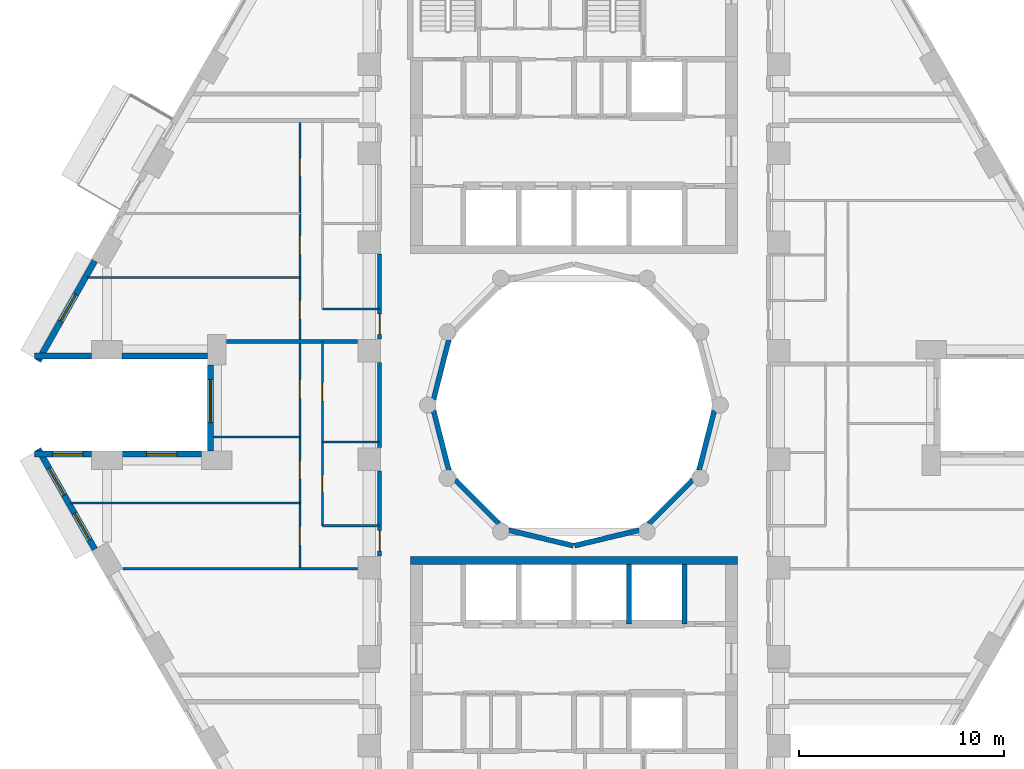
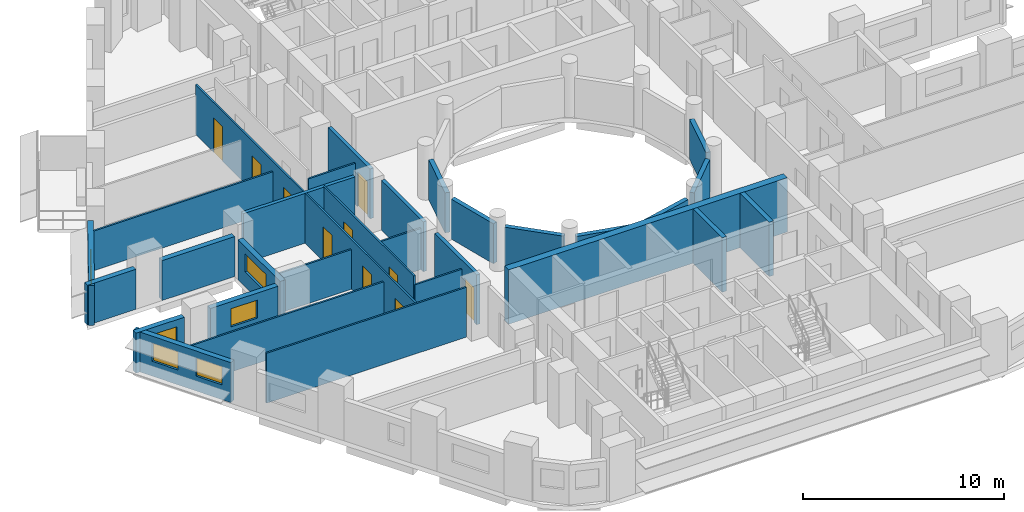
# One storey, part 4 of 13: 30 walls, 10 doors, 6 windows, 16 openings.
"""IFC4 building model written with IfcOpenShell, lengths in metres."""

from ifc_helpers import new_model, si_unit, direction, frame, frame_2d, origin, place, context, subcontext, project, spatial, rectangle, extrude, material, layer, layer_set, type_object, element, fill, save


model = new_model("IFC4")

# Units and contexts
model_context = context("Model", 3, precision=1e-05, world=origin(), true_north=direction((0.0, 1.0)))
body_context = subcontext(model_context, "Body", "Model", "MODEL_VIEW")
ifc_project = project(units=[si_unit("LENGTHUNIT", "METRE"), si_unit("AREAUNIT", "SQUARE_METRE"), si_unit("VOLUMEUNIT", "CUBIC_METRE"), si_unit("PLANEANGLEUNIT", "RADIAN"), si_unit("MASSUNIT", "GRAM", prefix="KILO")], contexts=[model_context])

# Site, building, storey
site_placement = place(None, origin())
site = spatial("IfcSite", under=ifc_project, at=site_placement, CompositionType="ELEMENT")
building_placement = place(site_placement, origin())
building = spatial("IfcBuilding", under=site, at=building_placement, Name="Nakaniwa Court", CompositionType="ELEMENT")
storey_placement = place(building_placement, frame((0.0, 0.0, 44.699951171875)))
storey = spatial("IfcBuildingStorey", under=building, at=storey_placement, Name="L11", CompositionType="ELEMENT", Elevation=44.699951171875)

# Wall, opening, door
ifc_material_1 = material(Name="Acoustic double stud partition")
ifc_layer_1 = layer(ifc_material_1, 0.199951171875)
ifc_layer_set_1 = layer_set([ifc_layer_1], Name="Acoustic double stud partition")
wall_type_1 = type_object("IfcWallType", Name="Acoustic double stud partition 200", PredefinedType="PARTITIONING", material=ifc_layer_set_1)
wall_1_placement = place(storey_placement, frame((70.5, 72.616943359375, 0.0), z_axis=(0.0, 0.0, 1.0), x_axis=(0.0, 1.0, 0.0)))
wall_1 = element("IfcWall", 1, at=wall_1_placement, inside=storey, type_object=wall_type_1, Name="Partition PW-105", PredefinedType="PARTITIONING", context=body_context, shape_type="SweptSolid", body=[
    extrude(rectangle(XDim=4.166015625, YDim=0.199951171875, at=frame_2d((2.0830078125, 0.0))), origin(), (0.0, 0.0, 1.0), 3.025146484375),
])
opening_1_placement = place(wall_1_placement, frame((0.242919921875, 0.0, 0.0)))
opening_1 = element("IfcOpeningElement", 2, at=opening_1_placement, cuts=wall_1, Name="Opening D-01-03", PredefinedType="OPENING", context=body_context, shape_type="SweptSolid", body=[
    extrude(rectangle(XDim=1.0, YDim=2.10009765625, at=frame_2d((0.5, 1.050048828125))), frame((0.0, 0.10986328125, 0.0), z_axis=(0.0, -1.0, 0.0), x_axis=(1.0, 0.0, 0.0)), (0.0, 0.0, 1.0), 0.219970703125),
])
ifc_material_2 = material(Name="Solid core timber door set, black veneer", Category="wood")
door_type_1 = type_object("IfcDoorType", Name="Flat entrance door 1000", OperationType="NOTDEFINED", PredefinedType="DOOR", material=ifc_material_2)
door_1_placement = place(opening_1_placement, origin())
door_1 = element("IfcDoor", 3, at=door_1_placement, inside=storey, type_object=door_type_1, Name="Door D-01-03 L11-044", OperationType="SINGLE_SWING_LEFT", OverallHeight=2.10009765625, OverallWidth=1.0, PredefinedType="DOOR", context=body_context, shape_type="SweptSolid", body=[
    extrude(rectangle(XDim=1.0, YDim=2.10009765625, at=frame_2d((0.5, 1.050048828125))), frame((0.0, 0.02490234375, 0.0), z_axis=(0.0, -1.0, 0.0), x_axis=(1.0, 0.0, 0.0)), (0.0, 0.0, 1.0), 0.050048828125),
])
fill(opening_1, door_1)

# Wall
wall_2_placement = place(storey_placement, frame((70.5, 77.9169921875, 0.0), z_axis=(0.0, 0.0, 1.0), x_axis=(0.0, 1.0, 0.0)))
element("IfcWall", 4, at=wall_2_placement, inside=storey, type_object=wall_type_1, Name="Partition PW-106", PredefinedType="PARTITIONING", context=body_context, shape_type="SweptSolid", body=[
    extrude(rectangle(XDim=4.166015625, YDim=0.199951171875, at=frame_2d((2.0830078125, 0.0))), origin(), (0.0, 0.0, 1.0), 3.025146484375),
])

# Wall, opening, door
wall_3_placement = place(storey_placement, frame((70.5, 83.217041015625, 0.0), z_axis=(0.0, 0.0, 1.0), x_axis=(0.0, 1.0, 0.0)))
wall_3 = element("IfcWall", 5, at=wall_3_placement, inside=storey, type_object=wall_type_1, Name="Partition PW-107", PredefinedType="PARTITIONING", context=body_context, shape_type="SweptSolid", body=[
    extrude(rectangle(XDim=4.166015625, YDim=0.199951171875, at=frame_2d((2.0830078125, 0.0))), origin(), (0.0, 0.0, 1.0), 3.025146484375),
])
opening_2_placement = place(wall_3_placement, frame((0.242919921875, 0.0, 0.0)))
opening_2 = element("IfcOpeningElement", 6, at=opening_2_placement, cuts=wall_3, Name="Opening D-01-04", PredefinedType="OPENING", context=body_context, shape_type="SweptSolid", body=[
    extrude(rectangle(XDim=1.0, YDim=2.10009765625, at=frame_2d((0.5, 1.050048828125))), frame((0.0, 0.10986328125, 0.0), z_axis=(0.0, -1.0, 0.0), x_axis=(1.0, 0.0, 0.0)), (0.0, 0.0, 1.0), 0.219970703125),
])
door_2_placement = place(opening_2_placement, origin())
door_2 = element("IfcDoor", 7, at=door_2_placement, inside=storey, type_object=door_type_1, Name="Door D-01-04 L11-050", OperationType="SINGLE_SWING_LEFT", OverallHeight=2.10009765625, OverallWidth=1.0, PredefinedType="DOOR", context=body_context, shape_type="SweptSolid", body=[
    extrude(rectangle(XDim=1.0, YDim=2.10009765625, at=frame_2d((0.5, 1.050048828125))), frame((0.0, 0.02490234375, 0.0), z_axis=(0.0, -1.0, 0.0), x_axis=(1.0, 0.0, 0.0)), (0.0, 0.0, 1.0), 0.050048828125),
])
fill(opening_2, door_2)

# Wall
wall_4_placement = place(storey_placement, frame((63.01171875, 83.10009765625, 0.0), z_axis=(0.0, 0.0, 1.0), x_axis=(1.0, 0.0, 0.0)))
element("IfcWall", 8, at=wall_4_placement, inside=storey, type_object=wall_type_1, Name="Partition PW-130", PredefinedType="PARTITIONING", context=body_context, shape_type="SweptSolid", body=[
    extrude(rectangle(XDim=6.418212890625, YDim=0.199951171875, at=frame_2d((3.208984375, 0.0))), origin(), (0.0, 0.0, 1.0), 3.025146484375),
])

# Wall, opening, window
ifc_material_3 = material(Name="Charcoal ceramic cladding")
ifc_layer_2 = layer(ifc_material_3, 0.02, Name="Ceramic cladding")
ifc_material_4 = material(Name="Ventilated air cavity")
ifc_layer_3 = layer(ifc_material_4, 0.04, ventilated=True, Name="Ventilated cavity")
ifc_material_5 = material(Name="Mineral wool insulation")
ifc_layer_4 = layer(ifc_material_5, 0.1, Name="Insulation")
ifc_material_6 = material(Name="Cement bonded sheathing board")
ifc_layer_5 = layer(ifc_material_6, 0.012, Name="Sheathing")
ifc_material_7 = material(Name="Cold-formed galvanised stud frame with mineral wool infill")
ifc_layer_6 = layer(ifc_material_7, 0.1, Name="Stud frame")
ifc_material_8 = material(Name="Fire-rated gypsum plasterboard lining")
ifc_layer_7 = layer(ifc_material_8, 0.028, Name="Lining")
ifc_layer_set_2 = layer_set([ifc_layer_2, ifc_layer_3, ifc_layer_4, ifc_layer_5, ifc_layer_6, ifc_layer_7], Name="Charcoal ceramic faced external wall system")
wall_type_2 = type_object("IfcWallType", Name="Black ceramic faced external wall 300", PredefinedType="SOLIDWALL", material=ifc_layer_set_2)
wall_5_placement = place(storey_placement, frame((56.584228515625, 87.050537109375, 0.0), z_axis=(0.0, 0.0, 1.0), x_axis=(-0.492363204642, -0.870389840655, 0.0)))
wall_5 = element("IfcWall", 9, at=wall_5_placement, inside=storey, type_object=wall_type_2, Name="L11 external wall 14", PredefinedType="SOLIDWALL", context=body_context, shape_type="SweptSolid", body=[
    extrude(rectangle(XDim=5.62646484375, YDim=0.300048828125, at=frame_2d((2.813232421875, 0.0))), origin(), (0.0, 0.0, 1.0), 2.425048828125),
])
opening_3_placement = place(wall_5_placement, frame((1.8916015625, 0.0, 0.89990234375)))
opening_3 = element("IfcOpeningElement", 10, at=opening_3_placement, cuts=wall_5, Name="Opening W5.15", PredefinedType="OPENING", context=body_context, shape_type="SweptSolid", body=[
    extrude(rectangle(XDim=1.5, YDim=1.10009765625, at=frame_2d((0.75, 0.550048828125))), frame((0.0, 0.159912109375, 0.0), z_axis=(0.0, -1.0, 0.0), x_axis=(1.0, 0.0, 0.0)), (0.0, 0.0, 1.0), 0.320068359375),
])
ifc_material_9 = material(Name="Black anodised aluminium frame with dark low-E laminated double glazing", Category="aluminium")
window_type_1 = type_object("IfcWindowType", Name="Dark glass window 1500x1100 sill 900", PartitioningType="SINGLE_PANEL", PredefinedType="WINDOW", material=ifc_material_9)
window_1_placement = place(opening_3_placement, origin())
window_1 = element("IfcWindow", 11, at=window_1_placement, inside=storey, type_object=window_type_1, Name="L11 bedroom window 14-1", OverallHeight=1.10009765625, OverallWidth=1.5, PartitioningType="SINGLE_PANEL", PredefinedType="WINDOW", context=body_context, shape_type="SweptSolid", body=[
    extrude(rectangle(XDim=1.5, YDim=1.10009765625, at=frame_2d((0.75, 0.550048828125))), frame((0.0, 0.030029296875, 0.0), z_axis=(0.0, -1.0, 0.0), x_axis=(1.0, 0.0, 0.0)), (0.0, 0.0, 1.0), 0.06005859375),
])
fill(opening_3, window_1)

# Walls
wall_6_placement = place(storey_placement, frame((53.643310546875, 82.39990234375, 0.0), z_axis=(0.0, 0.0, 1.0), x_axis=(1.0, 0.0, 0.0)))
element("IfcWall", 12, at=wall_6_placement, inside=storey, type_object=wall_type_2, Name="L11 external wall 15", PredefinedType="SOLIDWALL", context=body_context, shape_type="SweptSolid", body=[
    extrude(rectangle(XDim=2.787841796875, YDim=0.300048828125, at=frame_2d((1.39404296875, 0.0))), origin(), (0.0, 0.0, 1.0), 2.425048828125),
])
wall_7_placement = place(storey_placement, frame((57.923095703125, 82.39990234375, 0.0), z_axis=(0.0, 0.0, 1.0), x_axis=(1.0, 0.0, 0.0)))
element("IfcWall", 13, at=wall_7_placement, inside=storey, type_object=wall_type_2, Name="L11 external wall 16", PredefinedType="SOLIDWALL", context=body_context, shape_type="SweptSolid", body=[
    extrude(rectangle(XDim=4.172607421875, YDim=0.300048828125, at=frame_2d((2.08642578125, 0.0))), origin(), (0.0, 0.0, 1.0), 2.425048828125),
])

# Wall, opening, window
wall_8_placement = place(storey_placement, frame((62.24169921875, 81.9541015625, 0.0), z_axis=(0.0, 0.0, 1.0), x_axis=(0.0, -1.0, 0.0)))
wall_8 = element("IfcWall", 14, at=wall_8_placement, inside=storey, type_object=wall_type_2, Name="L11 external wall 17", PredefinedType="SOLIDWALL", context=body_context, shape_type="SweptSolid", body=[
    extrude(rectangle(XDim=4.2080078125, YDim=0.300048828125, at=frame_2d((2.10400390625, 0.0))), origin(), (0.0, 0.0, 1.0), 2.425048828125),
])
opening_4_placement = place(wall_8_placement, frame((0.71630859375, 0.0, 0.89990234375)))
opening_4 = element("IfcOpeningElement", 15, at=opening_4_placement, cuts=wall_8, Name="Opening W7.16", PredefinedType="OPENING", context=body_context, shape_type="SweptSolid", body=[
    extrude(rectangle(XDim=2.10009765625, YDim=1.10009765625, at=frame_2d((1.050048828125, 0.550048828125))), frame((0.0, 0.159912109375, 0.0), z_axis=(0.0, -1.0, 0.0), x_axis=(1.0, 0.0, 0.0)), (0.0, 0.0, 1.0), 0.320068359375),
])
window_type_2 = type_object("IfcWindowType", Name="Dark glass window 2100x1100 sill 900", PartitioningType="SINGLE_PANEL", PredefinedType="WINDOW", material=ifc_material_9)
window_2_placement = place(opening_4_placement, origin())
window_2 = element("IfcWindow", 16, at=window_2_placement, inside=storey, type_object=window_type_2, Name="L11 living window 17-0", OverallHeight=1.10009765625, OverallWidth=2.10009765625, PartitioningType="SINGLE_PANEL", PredefinedType="WINDOW", context=body_context, shape_type="SweptSolid", body=[
    extrude(rectangle(XDim=2.10009765625, YDim=1.10009765625, at=frame_2d((1.050048828125, 0.550048828125))), frame((0.0, 0.030029296875, 0.0), z_axis=(0.0, -1.0, 0.0), x_axis=(1.0, 0.0, 0.0)), (0.0, 0.0, 1.0), 0.06005859375),
])
fill(opening_4, window_2)

wall_9_placement = place(storey_placement, frame((61.795654296875, 77.60009765625, 0.0), z_axis=(0.0, 0.0, 1.0), x_axis=(-1.0, 0.0, 0.0)))
wall_9 = element("IfcWall", 17, at=wall_9_placement, inside=storey, type_object=wall_type_2, Name="L11 external wall 18", PredefinedType="SOLIDWALL", context=body_context, shape_type="SweptSolid", body=[
    extrude(rectangle(XDim=3.87255859375, YDim=0.300048828125, at=frame_2d((1.936279296875, 0.0))), origin(), (0.0, 0.0, 1.0), 2.425048828125),
])
opening_5_placement = place(wall_9_placement, frame((1.186279296875, 0.0, 0.89990234375)))
opening_5 = element("IfcOpeningElement", 18, at=opening_5_placement, cuts=wall_9, Name="Opening W5.17", PredefinedType="OPENING", context=body_context, shape_type="SweptSolid", body=[
    extrude(rectangle(XDim=1.5, YDim=1.10009765625, at=frame_2d((0.75, 0.550048828125))), frame((0.0, 0.159912109375, 0.0), z_axis=(0.0, -1.0, 0.0), x_axis=(1.0, 0.0, 0.0)), (0.0, 0.0, 1.0), 0.320068359375),
])
window_3_placement = place(opening_5_placement, origin())
window_3 = element("IfcWindow", 19, at=window_3_placement, inside=storey, type_object=window_type_1, Name="L11 bedroom window 18-0", OverallHeight=1.10009765625, OverallWidth=1.5, PartitioningType="SINGLE_PANEL", PredefinedType="WINDOW", context=body_context, shape_type="SweptSolid", body=[
    extrude(rectangle(XDim=1.5, YDim=1.10009765625, at=frame_2d((0.75, 0.550048828125))), frame((0.0, 0.030029296875, 0.0), z_axis=(0.0, -1.0, 0.0), x_axis=(1.0, 0.0, 0.0)), (0.0, 0.0, 1.0), 0.06005859375),
])
fill(opening_5, window_3)

wall_10_placement = place(storey_placement, frame((56.43115234375, 77.60009765625, 0.0), z_axis=(0.0, 0.0, 1.0), x_axis=(-1.0, 0.0, 0.0)))
wall_10 = element("IfcWall", 20, at=wall_10_placement, inside=storey, type_object=wall_type_2, Name="L11 external wall 19", PredefinedType="SOLIDWALL", context=body_context, shape_type="SweptSolid", body=[
    extrude(rectangle(XDim=2.787841796875, YDim=0.300048828125, at=frame_2d((1.39404296875, 0.0))), origin(), (0.0, 0.0, 1.0), 2.425048828125),
])
opening_6_placement = place(wall_10_placement, frame((0.4189453125, 0.0, 0.89990234375)))
opening_6 = element("IfcOpeningElement", 21, at=opening_6_placement, cuts=wall_10, Name="Opening W5.18", PredefinedType="OPENING", context=body_context, shape_type="SweptSolid", body=[
    extrude(rectangle(XDim=1.5, YDim=1.10009765625, at=frame_2d((0.75, 0.550048828125))), frame((0.0, 0.159912109375, 0.0), z_axis=(0.0, -1.0, 0.0), x_axis=(1.0, 0.0, 0.0)), (0.0, 0.0, 1.0), 0.320068359375),
])
window_4_placement = place(opening_6_placement, origin())
window_4 = element("IfcWindow", 22, at=window_4_placement, inside=storey, type_object=window_type_1, Name="L11 bedroom window 19-0", OverallHeight=1.10009765625, OverallWidth=1.5, PartitioningType="SINGLE_PANEL", PredefinedType="WINDOW", context=body_context, shape_type="SweptSolid", body=[
    extrude(rectangle(XDim=1.5, YDim=1.10009765625, at=frame_2d((0.75, 0.550048828125))), frame((0.0, 0.030029296875, 0.0), z_axis=(0.0, -1.0, 0.0), x_axis=(1.0, 0.0, 0.0)), (0.0, 0.0, 1.0), 0.06005859375),
])
fill(opening_6, window_4)

# Wall, openings, windows
wall_11_placement = place(storey_placement, frame((53.81396484375, 77.8466796875, 0.0), z_axis=(0.0, 0.0, 1.0), x_axis=(0.492363204642, -0.870389840655, 0.0)))
wall_11 = element("IfcWall", 23, at=wall_11_placement, inside=storey, type_object=wall_type_2, Name="L11 external wall 20", PredefinedType="SOLIDWALL", context=body_context, shape_type="SweptSolid", body=[
    extrude(rectangle(XDim=5.62646484375, YDim=0.300048828125, at=frame_2d((2.813232421875, 0.0))), origin(), (0.0, 0.0, 1.0), 2.425048828125),
])
opening_7_placement = place(wall_11_placement, frame((1.081298828125, 0.0, 0.89990234375)))
opening_7 = element("IfcOpeningElement", 24, at=opening_7_placement, cuts=wall_11, Name="Opening W5.19", PredefinedType="OPENING", context=body_context, shape_type="SweptSolid", body=[
    extrude(rectangle(XDim=1.5, YDim=1.10009765625, at=frame_2d((0.75, 0.550048828125))), frame((0.0, 0.159912109375, 0.0), z_axis=(0.0, -1.0, 0.0), x_axis=(1.0, 0.0, 0.0)), (0.0, 0.0, 1.0), 0.320068359375),
])
opening_8_placement = place(wall_11_placement, frame((3.60595703125, 0.0, 0.89990234375)))
opening_8 = element("IfcOpeningElement", 25, at=opening_8_placement, cuts=wall_11, Name="Opening W5.20", PredefinedType="OPENING", context=body_context, shape_type="SweptSolid", body=[
    extrude(rectangle(XDim=1.5, YDim=1.10009765625, at=frame_2d((0.75, 0.550048828125))), frame((0.0, 0.159912109375, 0.0), z_axis=(0.0, -1.0, 0.0), x_axis=(1.0, 0.0, 0.0)), (0.0, 0.0, 1.0), 0.320068359375),
])
window_5_placement = place(opening_7_placement, origin())
window_5 = element("IfcWindow", 26, at=window_5_placement, inside=storey, type_object=window_type_1, Name="L11 bedroom window 20-0", OverallHeight=1.10009765625, OverallWidth=1.5, PartitioningType="SINGLE_PANEL", PredefinedType="WINDOW", context=body_context, shape_type="SweptSolid", body=[
    extrude(rectangle(XDim=1.5, YDim=1.10009765625, at=frame_2d((0.75, 0.550048828125))), frame((0.0, 0.030029296875, 0.0), z_axis=(0.0, -1.0, 0.0), x_axis=(1.0, 0.0, 0.0)), (0.0, 0.0, 1.0), 0.06005859375),
])
fill(opening_7, window_5)
window_6_placement = place(opening_8_placement, origin())
window_6 = element("IfcWindow", 27, at=window_6_placement, inside=storey, type_object=window_type_1, Name="L11 bedroom window 20-1", OverallHeight=1.10009765625, OverallWidth=1.5, PartitioningType="SINGLE_PANEL", PredefinedType="WINDOW", context=body_context, shape_type="SweptSolid", body=[
    extrude(rectangle(XDim=1.5, YDim=1.10009765625, at=frame_2d((0.75, 0.550048828125))), frame((0.0, 0.030029296875, 0.0), z_axis=(0.0, -1.0, 0.0), x_axis=(1.0, 0.0, 0.0)), (0.0, 0.0, 1.0), 0.06005859375),
])
fill(opening_8, window_6)

# Walls
ifc_layer_8 = layer(ifc_material_3, 0.02, Name="Ceramic cladding")
ifc_layer_9 = layer(ifc_material_4, 0.04, ventilated=True, Name="Ventilated cavity")
ifc_layer_10 = layer(ifc_material_5, 0.075, Name="Insulation")
ifc_layer_11 = layer(ifc_material_6, 0.012, Name="Sheathing")
ifc_layer_12 = layer(ifc_material_7, 0.075, Name="Stud frame")
ifc_layer_13 = layer(ifc_material_8, 0.028, Name="Lining")
ifc_layer_set_3 = layer_set([ifc_layer_8, ifc_layer_9, ifc_layer_10, ifc_layer_11, ifc_layer_12, ifc_layer_13], Name="Charcoal ceramic faced external wall system")
wall_type_3 = type_object("IfcWallType", Name="Charcoal ceramic faced well wall 250", PredefinedType="SOLIDWALL", material=ifc_layer_set_3)
wall_12_placement = place(storey_placement, frame((86.8603515625, 79.72998046875, 0.0), z_axis=(0.0, 0.0, 1.0), x_axis=(-0.247055971283, -0.969001211069, 0.0)))
element("IfcWall", 28, at=wall_12_placement, inside=storey, type_object=wall_type_3, Name="L11 external wall 36", PredefinedType="SOLIDWALL", context=body_context, shape_type="SweptSolid", body=[
    extrude(rectangle(XDim=3.010009765625, YDim=0.25, at=frame_2d((1.5048828125, 0.0))), origin(), (0.0, 0.0, 1.0), 2.425048828125),
])
wall_13_placement = place(storey_placement, frame((85.8056640625, 76.339111328125, 0.0), z_axis=(0.0, 0.0, 1.0), x_axis=(-0.707106781187, -0.707106781187, 0.0)))
element("IfcWall", 29, at=wall_13_placement, inside=storey, type_object=wall_type_3, Name="L11 external wall 37", PredefinedType="SOLIDWALL", context=body_context, shape_type="SweptSolid", body=[
    extrude(rectangle(XDim=3.033203125, YDim=0.25, at=frame_2d((1.5166015625, 0.0))), origin(), (0.0, 0.0, 1.0), 2.425048828125),
])
for number, where, z_axis, x_axis, name in (
    (30, (83.186279296875, 73.880615234375, 0.0), (0.0, 0.0, 1.0), (-0.972773113459, -0.231759508395, 0.0), "L11 external wall 38"),
    (31, (79.970947265625, 73.12841796875, 0.0), (0.0, 0.0, 1.0), (-0.972773113459, 0.231759508395, 0.0), "L11 external wall 39"),
):
    element("IfcWall", number, at=place(storey_placement, frame(where, z_axis=z_axis, x_axis=x_axis)), inside=storey, type_object=wall_type_3, Name=name, PredefinedType="SOLIDWALL", context=body_context, shape_type="SweptSolid", body=[
        extrude(rectangle(XDim=3.24560546875, YDim=0.25, at=frame_2d((1.622802734375, 0.0))), origin(), (0.0, 0.0, 1.0), 2.425048828125),
    ])
wall_14_placement = place(storey_placement, frame((76.339111328125, 74.1943359375, 0.0), z_axis=(0.0, 0.0, 1.0), x_axis=(-0.707106781187, 0.707106781187, 0.0)))
element("IfcWall", 32, at=wall_14_placement, inside=storey, type_object=wall_type_3, Name="L11 external wall 40", PredefinedType="SOLIDWALL", context=body_context, shape_type="SweptSolid", body=[
    extrude(rectangle(XDim=3.033203125, YDim=0.25, at=frame_2d((1.5166015625, 0.0))), origin(), (0.0, 0.0, 1.0), 2.425048828125),
])
for number, where, z_axis, x_axis, name in (
    (33, (73.88330078125, 76.813232421875, 0.0), (0.0, 0.0, 1.0), (-0.247055971283, 0.969001211069, 0.0), "L11 external wall 41"),
    (34, (73.1396484375, 80.27001953125, 0.0), (0.0, 0.0, 1.0), (0.247055971283, 0.969001211069, 0.0), "L11 external wall 42"),
):
    element("IfcWall", number, at=place(storey_placement, frame(where, z_axis=z_axis, x_axis=x_axis)), inside=storey, type_object=wall_type_3, Name=name, PredefinedType="SOLIDWALL", context=body_context, shape_type="SweptSolid", body=[
        extrude(rectangle(XDim=3.010009765625, YDim=0.25, at=frame_2d((1.5048828125, 0.0))), origin(), (0.0, 0.0, 1.0), 2.425048828125),
    ])
ifc_material_10 = material(Name="Concrete C100/115", Category="concrete")
ifc_layer_14 = layer(ifc_material_10, 0.39990234375)
ifc_layer_set_4 = layer_set([ifc_layer_14], Name="Concrete C100/115")
wall_type_4 = type_object("IfcWallType", Name="Concrete core well wall 400 C100", PredefinedType="SHEAR", material=ifc_layer_set_4)
wall_15_placement = place(storey_placement, frame((72.00390625, 72.39990234375, -0.27490234375), z_axis=(0.0, 0.0, 1.0), x_axis=(1.0, 0.0, 0.0)))
element("IfcWall", 35, at=wall_15_placement, inside=storey, type_object=wall_type_4, Name="Core wall SW-140", PredefinedType="SHEAR", context=body_context, shape_type="SweptSolid", body=[
    extrude(rectangle(XDim=15.9921875, YDim=0.39990234375, at=frame_2d((7.99609375, 0.0))), origin(), (0.0, 0.0, 1.0), 3.300048828125),
])
ifc_layer_15 = layer(ifc_material_10, 0.25)
ifc_layer_set_5 = layer_set([ifc_layer_15], Name="Concrete C100/115")
wall_type_5 = type_object("IfcWallType", Name="Concrete shaft wall 250 C100", PredefinedType="SHEAR", material=ifc_layer_set_5)
for number, where, z_axis, x_axis, name in (
    (36, (82.699951171875, 69.300048828125, -0.27490234375), (0.0, 0.0, 1.0), (0.0, 1.0, 0.0), "Core wall SW-47"),
    (37, (85.39990234375, 69.300048828125, -0.27490234375), (0.0, 0.0, 1.0), (0.0, 1.0, 0.0), "Core wall SW-49"),
):
    element("IfcWall", number, at=place(storey_placement, frame(where, z_axis=z_axis, x_axis=x_axis)), inside=storey, type_object=wall_type_5, Name=name, PredefinedType="SHEAR", context=body_context, shape_type="SweptSolid", body=[
        extrude(rectangle(XDim=2.89990234375, YDim=0.25, at=frame_2d((1.449951171875, 0.0))), origin(), (0.0, 0.0, 1.0), 3.300048828125),
    ])
ifc_material_11 = material(Name="Single stud plasterboard partition")
ifc_layer_16 = layer(ifc_material_11, 0.10009765625)
ifc_layer_set_6 = layer_set([ifc_layer_16], Name="Single stud plasterboard partition")
wall_type_6 = type_object("IfcWallType", Name="Single stud plasterboard partition 100", PredefinedType="PARTITIONING", material=ifc_layer_set_6)
wall_16_placement = place(storey_placement, frame((67.699951171875, 74.10009765625, 0.0), z_axis=(0.0, 0.0, 1.0), x_axis=(1.0, 0.0, 0.0)))
element("IfcWall", 38, at=wall_16_placement, inside=storey, type_object=wall_type_6, Name="Partition PW-114", PredefinedType="PARTITIONING", context=body_context, shape_type="SweptSolid", body=[
    extrude(rectangle(XDim=2.800048828125, YDim=0.10009765625, at=frame_2d((1.39990234375, 0.0))), origin(), (0.0, 0.0, 1.0), 2.505126953125),
])
wall_17_placement = place(storey_placement, frame((57.96826171875, 72.0, 0.0), z_axis=(0.0, 0.0, 1.0), x_axis=(1.0, 0.0, 0.0)))
element("IfcWall", 39, at=wall_17_placement, inside=storey, type_object=wall_type_6, Name="Partition PW-120", PredefinedType="PARTITIONING", context=body_context, shape_type="SweptSolid", body=[
    extrude(rectangle(XDim=11.461669921875, YDim=0.10009765625, at=frame_2d((5.73095703125, 0.0))), origin(), (0.0, 0.0, 1.0), 3.025146484375),
])
wall_18_placement = place(storey_placement, frame((67.699951171875, 78.19091796875, 0.0), z_axis=(0.0, 0.0, 1.0), x_axis=(1.0, 0.0, 0.0)))
element("IfcWall", 40, at=wall_18_placement, inside=storey, type_object=wall_type_6, Name="Partition PW-127", PredefinedType="PARTITIONING", context=body_context, shape_type="SweptSolid", body=[
    extrude(rectangle(XDim=2.800048828125, YDim=0.10009765625, at=frame_2d((1.39990234375, 0.0))), origin(), (0.0, 0.0, 1.0), 2.505126953125),
])

# Wall, openings, doors
wall_19_placement = place(storey_placement, frame((67.699951171875, 83.10009765625, 0.0), z_axis=(0.0, 0.0, 1.0), x_axis=(0.0, -1.0, 0.0)))
wall_19 = element("IfcWall", 41, at=wall_19_placement, inside=storey, type_object=wall_type_6, Name="Partition PW-128", PredefinedType="PARTITIONING", context=body_context, shape_type="SweptSolid", body=[
    extrude(rectangle(XDim=9.0, YDim=0.10009765625, at=frame_2d((4.5, 0.0))), origin(), (0.0, 0.0, 1.0), 3.025146484375),
])
opening_9_placement = place(wall_19_placement, frame((6.530029296875, 0.0, 0.0)))
opening_9 = element("IfcOpeningElement", 42, at=opening_9_placement, cuts=wall_19, Name="Opening D-03-03", PredefinedType="OPENING", context=body_context, shape_type="SweptSolid", body=[
    extrude(rectangle(XDim=0.85009765625, YDim=2.10009765625, at=frame_2d((0.425048828125, 1.050048828125))), frame((0.0, 0.06005859375, 0.0), z_axis=(0.0, -1.0, 0.0), x_axis=(1.0, 0.0, 0.0)), (0.0, 0.0, 1.0), 0.1201171875),
])
opening_10_placement = place(wall_19_placement, frame((2.0048828125, 0.0, 0.0)))
opening_10 = element("IfcOpeningElement", 43, at=opening_10_placement, cuts=wall_19, Name="Opening D-33-07", PredefinedType="OPENING", context=body_context, shape_type="SweptSolid", body=[
    extrude(rectangle(XDim=0.89990234375, YDim=2.10009765625, at=frame_2d((0.449951171875, 1.050048828125))), frame((0.0, 0.06005859375, 0.0), z_axis=(0.0, -1.0, 0.0), x_axis=(1.0, 0.0, 0.0)), (0.0, 0.0, 1.0), 0.1201171875),
])
ifc_material_12 = material(Name="Moisture sealed timber door set", Category="wood")
door_type_2 = type_object("IfcDoorType", Name="Bathroom door 850", OperationType="NOTDEFINED", PredefinedType="DOOR", material=ifc_material_12)
door_3_placement = place(opening_9_placement, origin())
door_3 = element("IfcDoor", 44, at=door_3_placement, inside=storey, type_object=door_type_2, Name="Door D-03-03 L11-045", OperationType="SINGLE_SWING_RIGHT", OverallHeight=2.10009765625, OverallWidth=0.85009765625, PredefinedType="DOOR", context=body_context, shape_type="SweptSolid", body=[
    extrude(rectangle(XDim=0.85009765625, YDim=2.10009765625, at=frame_2d((0.425048828125, 1.050048828125))), frame((0.0, 0.02490234375, 0.0), z_axis=(0.0, -1.0, 0.0), x_axis=(1.0, 0.0, 0.0)), (0.0, 0.0, 1.0), 0.050048828125),
])
fill(opening_9, door_3)
door_type_3 = type_object("IfcDoorType", Name="Internal door 900", OperationType="NOTDEFINED", PredefinedType="DOOR", material=ifc_material_2)
door_4_placement = place(opening_10_placement, origin())
door_4 = element("IfcDoor", 45, at=door_4_placement, inside=storey, type_object=door_type_3, Name="Door D-33-07 L11-046", OperationType="SINGLE_SWING_LEFT", OverallHeight=2.10009765625, OverallWidth=0.89990234375, PredefinedType="DOOR", context=body_context, shape_type="SweptSolid", body=[
    extrude(rectangle(XDim=0.89990234375, YDim=2.10009765625, at=frame_2d((0.449951171875, 1.050048828125))), frame((0.0, 0.02490234375, 0.0), z_axis=(0.0, -1.0, 0.0), x_axis=(1.0, 0.0, 0.0)), (0.0, 0.0, 1.0), 0.050048828125),
])
fill(opening_10, door_4)

wall_20_placement = place(storey_placement, frame((66.60009765625, 72.0, 0.0), z_axis=(0.0, 0.0, 1.0), x_axis=(0.0, 1.0, 0.0)))
wall_20 = element("IfcWall", 46, at=wall_20_placement, inside=storey, type_object=wall_type_6, Name="Partition PW-131", PredefinedType="PARTITIONING", context=body_context, shape_type="SweptSolid", body=[
    extrude(rectangle(XDim=21.89990234375, YDim=0.10009765625, at=frame_2d((10.949951171875, 0.0))), origin(), (0.0, 0.0, 1.0), 3.025146484375),
])
opening_11_placement = place(wall_20_placement, frame((1.160888671875, 0.0, 0.0)))
opening_11 = element("IfcOpeningElement", 47, at=opening_11_placement, cuts=wall_20, Name="Opening D-33-08", PredefinedType="OPENING", context=body_context, shape_type="SweptSolid", body=[
    extrude(rectangle(XDim=0.89990234375, YDim=2.10009765625, at=frame_2d((0.449951171875, 1.050048828125))), frame((0.0, 0.06005859375, 0.0), z_axis=(0.0, -1.0, 0.0), x_axis=(1.0, 0.0, 0.0)), (0.0, 0.0, 1.0), 0.1201171875),
])
opening_12_placement = place(wall_20_placement, frame((4.384033203125, 0.0, 0.0)))
opening_12 = element("IfcOpeningElement", 48, at=opening_12_placement, cuts=wall_20, Name="Opening D-33-09", PredefinedType="OPENING", context=body_context, shape_type="SweptSolid", body=[
    extrude(rectangle(XDim=0.89990234375, YDim=2.10009765625, at=frame_2d((0.449951171875, 1.050048828125))), frame((0.0, 0.06005859375, 0.0), z_axis=(0.0, -1.0, 0.0), x_axis=(1.0, 0.0, 0.0)), (0.0, 0.0, 1.0), 0.1201171875),
])
opening_13_placement = place(wall_20_placement, frame((8.322998046875, 0.0, 0.0)))
opening_13 = element("IfcOpeningElement", 49, at=opening_13_placement, cuts=wall_20, Name="Opening D-33-10", PredefinedType="OPENING", context=body_context, shape_type="SweptSolid", body=[
    extrude(rectangle(XDim=0.89990234375, YDim=2.10009765625, at=frame_2d((0.449951171875, 1.050048828125))), frame((0.0, 0.06005859375, 0.0), z_axis=(0.0, -1.0, 0.0), x_axis=(1.0, 0.0, 0.0)), (0.0, 0.0, 1.0), 0.1201171875),
])
opening_14_placement = place(wall_20_placement, frame((12.218017578125, 0.0, 0.0)))
opening_14 = element("IfcOpeningElement", 50, at=opening_14_placement, cuts=wall_20, Name="Opening D-33-12", PredefinedType="OPENING", context=body_context, shape_type="SweptSolid", body=[
    extrude(rectangle(XDim=0.89990234375, YDim=2.10009765625, at=frame_2d((0.449951171875, 1.050048828125))), frame((0.0, 0.06005859375, 0.0), z_axis=(0.0, -1.0, 0.0), x_axis=(1.0, 0.0, 0.0)), (0.0, 0.0, 1.0), 0.1201171875),
])
opening_15_placement = place(wall_20_placement, frame((15.35302734375, 0.0, 0.0)))
opening_15 = element("IfcOpeningElement", 51, at=opening_15_placement, cuts=wall_20, Name="Opening D-33-13", PredefinedType="OPENING", context=body_context, shape_type="SweptSolid", body=[
    extrude(rectangle(XDim=0.89990234375, YDim=2.10009765625, at=frame_2d((0.449951171875, 1.050048828125))), frame((0.0, 0.06005859375, 0.0), z_axis=(0.0, -1.0, 0.0), x_axis=(1.0, 0.0, 0.0)), (0.0, 0.0, 1.0), 0.1201171875),
])
opening_16_placement = place(wall_20_placement, frame((19.18603515625, 0.0, 0.0)))
opening_16 = element("IfcOpeningElement", 52, at=opening_16_placement, cuts=wall_20, Name="Opening D-33-14", PredefinedType="OPENING", context=body_context, shape_type="SweptSolid", body=[
    extrude(rectangle(XDim=0.89990234375, YDim=2.10009765625, at=frame_2d((0.449951171875, 1.050048828125))), frame((0.0, 0.06005859375, 0.0), z_axis=(0.0, -1.0, 0.0), x_axis=(1.0, 0.0, 0.0)), (0.0, 0.0, 1.0), 0.1201171875),
])
door_5_placement = place(opening_11_placement, origin())
door_5 = element("IfcDoor", 53, at=door_5_placement, inside=storey, type_object=door_type_3, Name="Door D-33-08 L11-047", OperationType="SINGLE_SWING_RIGHT", OverallHeight=2.10009765625, OverallWidth=0.89990234375, PredefinedType="DOOR", context=body_context, shape_type="SweptSolid", body=[
    extrude(rectangle(XDim=0.89990234375, YDim=2.10009765625, at=frame_2d((0.449951171875, 1.050048828125))), frame((0.0, 0.02490234375, 0.0), z_axis=(0.0, -1.0, 0.0), x_axis=(1.0, 0.0, 0.0)), (0.0, 0.0, 1.0), 0.050048828125),
])
fill(opening_11, door_5)
door_6_placement = place(opening_12_placement, origin())
door_6 = element("IfcDoor", 54, at=door_6_placement, inside=storey, type_object=door_type_3, Name="Door D-33-09 L11-048", OperationType="SINGLE_SWING_LEFT", OverallHeight=2.10009765625, OverallWidth=0.89990234375, PredefinedType="DOOR", context=body_context, shape_type="SweptSolid", body=[
    extrude(rectangle(XDim=0.89990234375, YDim=2.10009765625, at=frame_2d((0.449951171875, 1.050048828125))), frame((0.0, 0.02490234375, 0.0), z_axis=(0.0, -1.0, 0.0), x_axis=(1.0, 0.0, 0.0)), (0.0, 0.0, 1.0), 0.050048828125),
])
fill(opening_12, door_6)
door_7_placement = place(opening_13_placement, origin())
door_7 = element("IfcDoor", 55, at=door_7_placement, inside=storey, type_object=door_type_3, Name="Door D-33-10 L11-049", OperationType="SINGLE_SWING_RIGHT", OverallHeight=2.10009765625, OverallWidth=0.89990234375, PredefinedType="DOOR", context=body_context, shape_type="SweptSolid", body=[
    extrude(rectangle(XDim=0.89990234375, YDim=2.10009765625, at=frame_2d((0.449951171875, 1.050048828125))), frame((0.0, 0.02490234375, 0.0), z_axis=(0.0, -1.0, 0.0), x_axis=(1.0, 0.0, 0.0)), (0.0, 0.0, 1.0), 0.050048828125),
])
fill(opening_13, door_7)
door_8_placement = place(opening_14_placement, origin())
door_8 = element("IfcDoor", 56, at=door_8_placement, inside=storey, type_object=door_type_3, Name="Door D-33-12 L11-053", OperationType="SINGLE_SWING_RIGHT", OverallHeight=2.10009765625, OverallWidth=0.89990234375, PredefinedType="DOOR", context=body_context, shape_type="SweptSolid", body=[
    extrude(rectangle(XDim=0.89990234375, YDim=2.10009765625, at=frame_2d((0.449951171875, 1.050048828125))), frame((0.0, 0.02490234375, 0.0), z_axis=(0.0, -1.0, 0.0), x_axis=(1.0, 0.0, 0.0)), (0.0, 0.0, 1.0), 0.050048828125),
])
fill(opening_14, door_8)
door_9_placement = place(opening_15_placement, origin())
door_9 = element("IfcDoor", 57, at=door_9_placement, inside=storey, type_object=door_type_3, Name="Door D-33-13 L11-054", OperationType="SINGLE_SWING_LEFT", OverallHeight=2.10009765625, OverallWidth=0.89990234375, PredefinedType="DOOR", context=body_context, shape_type="SweptSolid", body=[
    extrude(rectangle(XDim=0.89990234375, YDim=2.10009765625, at=frame_2d((0.449951171875, 1.050048828125))), frame((0.0, 0.02490234375, 0.0), z_axis=(0.0, -1.0, 0.0), x_axis=(1.0, 0.0, 0.0)), (0.0, 0.0, 1.0), 0.050048828125),
])
fill(opening_15, door_9)
door_10_placement = place(opening_16_placement, origin())
door_10 = element("IfcDoor", 58, at=door_10_placement, inside=storey, type_object=door_type_3, Name="Door D-33-14 L11-055", OperationType="SINGLE_SWING_RIGHT", OverallHeight=2.10009765625, OverallWidth=0.89990234375, PredefinedType="DOOR", context=body_context, shape_type="SweptSolid", body=[
    extrude(rectangle(XDim=0.89990234375, YDim=2.10009765625, at=frame_2d((0.449951171875, 1.050048828125))), frame((0.0, 0.02490234375, 0.0), z_axis=(0.0, -1.0, 0.0), x_axis=(1.0, 0.0, 0.0)), (0.0, 0.0, 1.0), 0.050048828125),
])
fill(opening_16, door_10)

# Walls
wall_21_placement = place(storey_placement, frame((55.391845703125, 75.222900390625, 0.0), z_axis=(0.0, 0.0, 1.0), x_axis=(1.0, 0.0, 0.0)))
element("IfcWall", 59, at=wall_21_placement, inside=storey, type_object=wall_type_6, Name="Partition PW-132", PredefinedType="PARTITIONING", context=body_context, shape_type="SweptSolid", body=[
    extrude(rectangle(XDim=11.208251953125, YDim=0.10009765625, at=frame_2d((5.60400390625, 0.0))), origin(), (0.0, 0.0, 1.0), 2.405029296875),
])
wall_22_placement = place(storey_placement, frame((62.3916015625, 78.445068359375, 0.0), z_axis=(0.0, 0.0, 1.0), x_axis=(1.0, 0.0, 0.0)))
element("IfcWall", 60, at=wall_22_placement, inside=storey, type_object=wall_type_6, Name="Partition PW-133", PredefinedType="PARTITIONING", context=body_context, shape_type="SweptSolid", body=[
    extrude(rectangle(XDim=4.20849609375, YDim=0.10009765625, at=frame_2d((2.104248046875, 0.0))), origin(), (0.0, 0.0, 1.0), 2.405029296875),
])
wall_23_placement = place(storey_placement, frame((67.699951171875, 84.699951171875, 0.0), z_axis=(0.0, 0.0, 1.0), x_axis=(1.0, 0.0, 0.0)))
element("IfcWall", 61, at=wall_23_placement, inside=storey, type_object=wall_type_6, Name="Partition PW-135", PredefinedType="PARTITIONING", context=body_context, shape_type="SweptSolid", body=[
    extrude(rectangle(XDim=2.800048828125, YDim=0.10009765625, at=frame_2d((1.39990234375, 0.0))), origin(), (0.0, 0.0, 1.0), 2.505126953125),
])
wall_24_placement = place(storey_placement, frame((56.233642578125, 86.236083984375, 0.0), z_axis=(0.0, 0.0, 1.0), x_axis=(1.0, 0.0, 0.0)))
element("IfcWall", 62, at=wall_24_placement, inside=storey, type_object=wall_type_6, Name="Partition PW-136", PredefinedType="PARTITIONING", context=body_context, shape_type="SweptSolid", body=[
    extrude(rectangle(XDim=10.366455078125, YDim=0.10009765625, at=frame_2d((5.18310546875, 0.0))), origin(), (0.0, 0.0, 1.0), 2.405029296875),
])

save(model, "model.ifc")
